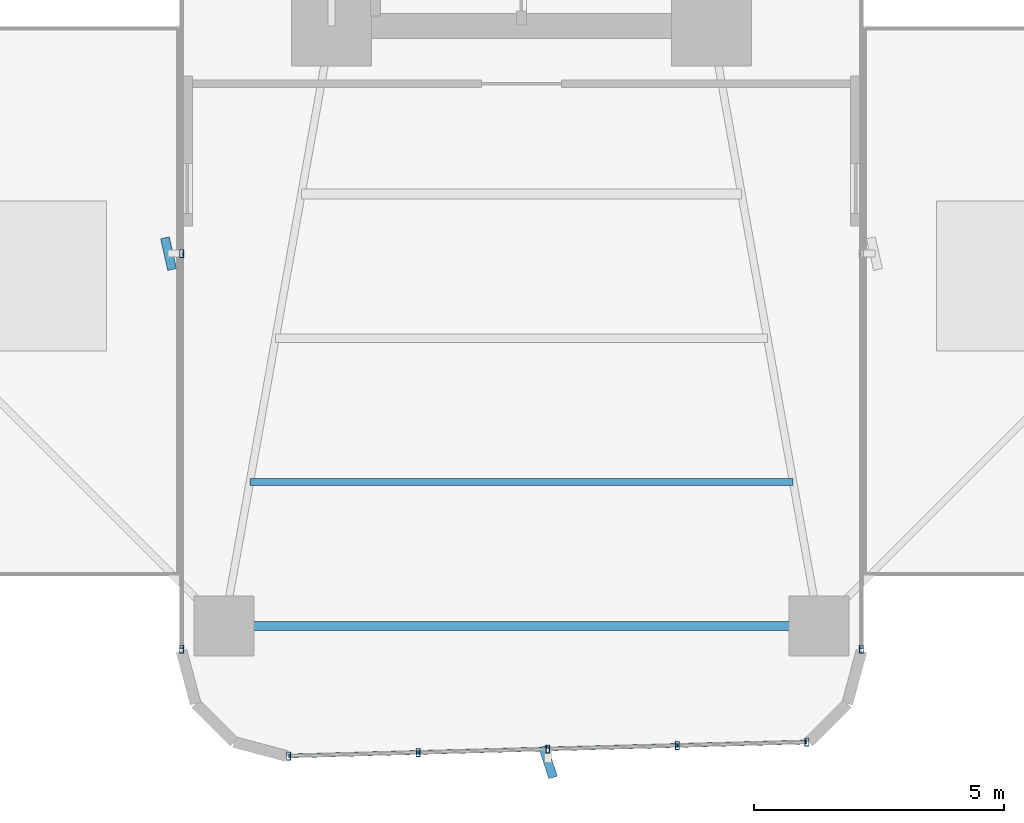
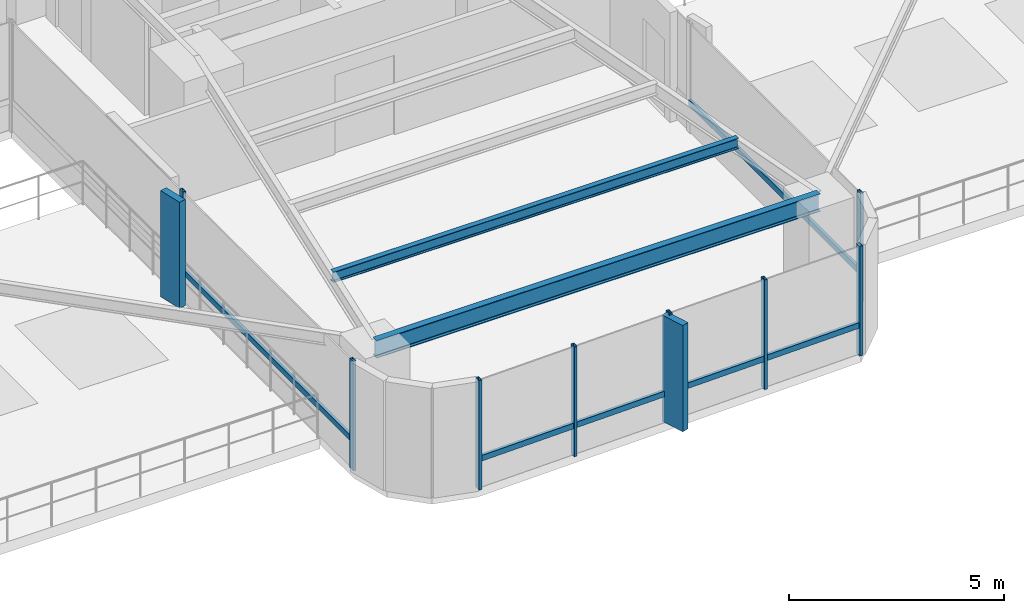
# One storey, part 2 of 27: 16 members, 2 beams, 3 elements without a shape of their own.
"""IFC4 building model written with IfcOpenShell, lengths in metres."""

from ifc_helpers import new_model, si_unit, direction, frame, origin, origin_2d, place, context, subcontext, project, spatial, rectangle, hollow_rectangle, i_section, extrude, source, transform, mapped, material, material_profile, profile_set, type_object, element, aggregate, save


model = new_model("IFC4")

# Units and contexts
model_context = context("Model", 3, precision=1e-05, world=origin(), true_north=direction((0.0, 1.0)))
body_context = subcontext(model_context, "Body", "Model", "MODEL_VIEW")
ifc_project = project(units=[si_unit("LENGTHUNIT", "METRE"), si_unit("AREAUNIT", "SQUARE_METRE"), si_unit("VOLUMEUNIT", "CUBIC_METRE"), si_unit("PLANEANGLEUNIT", "RADIAN"), si_unit("MASSUNIT", "GRAM", prefix="KILO")], contexts=[model_context])

# Site, building, storey
site_placement = place(None, origin())
site = spatial("IfcSite", under=ifc_project, at=site_placement, CompositionType="ELEMENT")
building_placement = place(site_placement, origin())
building = spatial("IfcBuilding", under=site, at=building_placement, Name="Sahyath Konkavel Grand Hotel", CompositionType="ELEMENT")
storey_placement = place(building_placement, frame((0.0, 0.0, 23.10009765625)))
storey = spatial("IfcBuildingStorey", under=building, at=storey_placement, Name="L05", CompositionType="ELEMENT", Elevation=23.10009765625)

# Beams
ifc_material_1 = material(Name="Steel E350", Category="steel")
ifc_material_profile_1 = material_profile(ifc_material_1, i_section(OverallWidth=0.179931640625, OverallDepth=0.5, WebThickness=0.01025390625, FlangeThickness=0.01708984375, FilletRadius=0.01708984375, at=origin_2d()), Name="ISMB 500")
ifc_profile_set_1 = profile_set([ifc_material_profile_1], Name="Steel E350")
beam_type_1 = type_object("IfcBeamType", Name="BM-ISMB500", PredefinedType="BEAM", material=ifc_profile_set_1)
shared_shape_1 = source(origin(), body_context, "Body", "SweptSolid", [
    extrude(i_section(OverallWidth=0.179931640625, OverallDepth=0.5, WebThickness=0.01025390625, FlangeThickness=0.01708984375, FilletRadius=0.01708984375, at=origin_2d()), origin(), (0.0, 0.0, 1.0), 11.89990234375),
])
beam_1_placement = place(storey_placement, frame((-5.949951171875, -22.199951171875, 2.85986328125), z_axis=(1.0, 0.0, 0.0), x_axis=(0.0, 1.0, 0.0)))
element("IfcBeam", 1, at=beam_1_placement, inside=storey, type_object=beam_type_1, Name="L05 Wing Tip Edge Beam S", PredefinedType="BEAM", context=body_context, shape_type="MappedRepresentation", body=[
    mapped(shared_shape_1, transform((0.0, 0.0, 0.0), scale=1.0)),
])
ifc_material_profile_2 = material_profile(ifc_material_1, i_section(OverallWidth=0.139892578125, OverallDepth=0.300048828125, WebThickness=0.0078125, FlangeThickness=0.01318359375, FilletRadius=0.013916015625, at=origin_2d()), Name="ISMB 300")
ifc_profile_set_2 = profile_set([ifc_material_profile_2], Name="Steel E350")
beam_type_2 = type_object("IfcBeamType", Name="BM-ISMB300", PredefinedType="BEAM", material=ifc_profile_set_2)
shared_shape_2 = source(origin(), body_context, "Body", "SweptSolid", [
    extrude(i_section(OverallWidth=0.139892578125, OverallDepth=0.300048828125, WebThickness=0.0078125, FlangeThickness=0.01318359375, FilletRadius=0.013916015625, at=origin_2d()), origin(), (0.0, 0.0, 1.0), 10.8681640625),
])
beam_2_placement = place(storey_placement, frame((-5.43408203125, -19.320068359375, 2.9599609375), z_axis=(1.0, 0.0, 0.0), x_axis=(0.0, 1.0, 0.0)))
element("IfcBeam", 2, at=beam_2_placement, inside=storey, type_object=beam_type_2, Name="L05 Secondary Floor Beam S-3", PredefinedType="BEAM", context=body_context, shape_type="MappedRepresentation", body=[
    mapped(shared_shape_2, transform((0.0, 0.0, 0.0), scale=1.0)),
])

# Curtain wall, members
ifc_material_2 = material(Name="Anodised Bronze Aluminium & Low-E Glazing", Category="aluminium")
curtain_wall_type = type_object("IfcCurtainWallType", Name="CW-ZONE1", PredefinedType="NOTDEFINED", material=ifc_material_2)
curtain_wall_1_placement = place(storey_placement, origin())
curtain_wall_1 = element("IfcCurtainWall", 3, at=curtain_wall_1_placement, inside=storey, type_object=curtain_wall_type, Name="L05 Unitised Curtain Wall F24", PredefinedType="NOTDEFINED")
ifc_material_3 = material(Name="Anodised Bronze Aluminium", Category="aluminium")
ifc_material_profile_3 = material_profile(ifc_material_3, hollow_rectangle(XDim=0.080078125, YDim=0.159912109375, WallThickness=0.006103515625, at=origin_2d()), Name="RHS 160x80x6")
ifc_profile_set_3 = profile_set([ifc_material_profile_3], Name="Anodised Bronze Aluminium")
member_type_1 = type_object("IfcMemberType", Name="CW-MUL-160", PredefinedType="MULLION", material=ifc_profile_set_3)
shared_shape_3 = source(origin(), body_context, "Body", "SweptSolid", [
    extrude(hollow_rectangle(XDim=0.080078125, YDim=0.159912109375, WallThickness=0.006103515625, at=origin_2d()), origin(), (0.0, 0.0, 1.0), 3.10986328125),
])
member_1_placement = place(storey_placement, frame((-6.800048828125, -14.75, 0.0), z_axis=(0.0, 0.0, 1.0), x_axis=(1.0, 0.0, 0.0)))
member_1 = element("IfcMember", 4, at=member_1_placement, type_object=member_type_1, Name="L05 Curtain Wall Mullion F24-1", PredefinedType="MULLION", context=body_context, shape_type="MappedRepresentation", body=[
    mapped(shared_shape_3, transform((0.0, 0.0, 0.0), scale=1.0)),
])
member_2_placement = place(storey_placement, frame((-6.800048828125, -22.659912109375, 0.0), z_axis=(0.0, 0.0, 1.0), x_axis=(1.0, 0.0, 0.0)))
member_2 = element("IfcMember", 5, at=member_2_placement, type_object=member_type_1, Name="L05 Curtain Wall Mullion F24-2", PredefinedType="MULLION", context=body_context, shape_type="MappedRepresentation", body=[
    mapped(shared_shape_3, transform((0.0, 0.0, 0.0), scale=1.0)),
])

curtain_wall_2_placement = place(storey_placement, origin())
curtain_wall_2 = element("IfcCurtainWall", 6, at=curtain_wall_2_placement, inside=storey, type_object=curtain_wall_type, Name="L05 Unitised Curtain Wall F28", PredefinedType="NOTDEFINED")
member_3_placement = place(storey_placement, frame((-4.659912109375, -24.798828125, 0.0), z_axis=(0.0, 0.0, 1.0), x_axis=(1.0, 0.0, 0.0)))
member_3 = element("IfcMember", 7, at=member_3_placement, type_object=member_type_1, Name="L05 Curtain Wall Mullion F28-0", PredefinedType="MULLION", context=body_context, shape_type="MappedRepresentation", body=[
    mapped(shared_shape_3, transform((0.0, 0.0, 0.0), scale=1.0)),
])
member_4_placement = place(storey_placement, frame((-2.0673828125, -24.72900390625, 0.0), z_axis=(0.0, 0.0, 1.0), x_axis=(1.0, 0.0, 0.0)))
member_4 = element("IfcMember", 8, at=member_4_placement, type_object=member_type_1, Name="L05 Curtain Wall Mullion F28-1", PredefinedType="MULLION", context=body_context, shape_type="MappedRepresentation", body=[
    mapped(shared_shape_3, transform((0.0, 0.0, 0.0), scale=1.0)),
])
member_5_placement = place(storey_placement, frame((0.52490234375, -24.6591796875, 0.0), z_axis=(0.0, 0.0, 1.0), x_axis=(1.0, 0.0, 0.0)))
member_5 = element("IfcMember", 9, at=member_5_placement, type_object=member_type_1, Name="L05 Curtain Wall Mullion F28-2", PredefinedType="MULLION", context=body_context, shape_type="MappedRepresentation", body=[
    mapped(shared_shape_3, transform((0.0, 0.0, 0.0), scale=1.0)),
])
member_6_placement = place(storey_placement, frame((3.117431640625, -24.589599609375, 0.0), z_axis=(0.0, 0.0, 1.0), x_axis=(1.0, 0.0, 0.0)))
member_6 = element("IfcMember", 10, at=member_6_placement, type_object=member_type_1, Name="L05 Curtain Wall Mullion F28-3", PredefinedType="MULLION", context=body_context, shape_type="MappedRepresentation", body=[
    mapped(shared_shape_3, transform((0.0, 0.0, 0.0), scale=1.0)),
])
member_7_placement = place(storey_placement, frame((5.7099609375, -24.519775390625, 0.0), z_axis=(0.0, 0.0, 1.0), x_axis=(1.0, 0.0, 0.0)))
member_7 = element("IfcMember", 11, at=member_7_placement, type_object=member_type_1, Name="L05 Curtain Wall Mullion F28-4", PredefinedType="MULLION", context=body_context, shape_type="MappedRepresentation", body=[
    mapped(shared_shape_3, transform((0.0, 0.0, 0.0), scale=1.0)),
])

# Curtain wall, member
curtain_wall_3_placement = place(storey_placement, origin())
curtain_wall_3 = element("IfcCurtainWall", 12, at=curtain_wall_3_placement, inside=storey, type_object=curtain_wall_type, Name="L05 Unitised Curtain Wall F31", PredefinedType="NOTDEFINED")
member_8_placement = place(storey_placement, frame((6.800048828125, -22.659912109375, 0.0), z_axis=(0.0, 0.0, 1.0), x_axis=(1.0, 0.0, 0.0)))
member_8 = element("IfcMember", 13, at=member_8_placement, type_object=member_type_1, Name="L05 Curtain Wall Mullion F31-0", PredefinedType="MULLION", context=body_context, shape_type="MappedRepresentation", body=[
    mapped(shared_shape_3, transform((0.0, 0.0, 0.0), scale=1.0)),
])

# Member
ifc_material_4 = material(Name="Warm Buff Sandstone Cladding on Concrete C50/60", Category="masonry")
ifc_material_profile_4 = material_profile(ifc_material_4, rectangle(XDim=0.179931640625, YDim=0.64990234375, at=origin_2d()), Name="FIN 180x650")
ifc_profile_set_4 = profile_set([ifc_material_profile_4], Name="Warm Buff Sandstone Cladding on Concrete C50/60")
member_type_2 = type_object("IfcMemberType", Name="FIN-SANDSTONE-650", PredefinedType="MULLION", material=ifc_profile_set_4)
shared_shape_4 = source(origin(), body_context, "Body", "SweptSolid", [
    extrude(rectangle(XDim=0.179931640625, YDim=0.64990234375, at=origin_2d()), origin(), (0.0, 0.0, 1.0), 3.010009765625),
])
member_9_placement = place(storey_placement, frame((-7.06005859375, -14.75, 0.0498046875), z_axis=(0.0, 0.0, 1.0), x_axis=(0.975419299024, 0.220356962886, 0.0)))
member_9 = element("IfcMember", 14, at=member_9_placement, type_object=member_type_2, Name="L05 Sandstone Vertical Solar Fin FIN F24-1", PredefinedType="MULLION", context=body_context, shape_type="MappedRepresentation", body=[
    mapped(shared_shape_4, transform((0.0, 0.0, 0.0), scale=1.0)),
])

member_10_placement = place(storey_placement, frame((0.531982421875, -24.919189453125, 0.0498046875), z_axis=(0.0, 0.0, 1.0), x_axis=(0.951056516295, 0.309016994375, 0.0)))
member_10 = element("IfcMember", 15, at=member_10_placement, type_object=member_type_2, Name="L05 Sandstone Vertical Solar Fin FIN F28-2", PredefinedType="MULLION", context=body_context, shape_type="MappedRepresentation", body=[
    mapped(shared_shape_4, transform((0.0, 0.0, 0.0), scale=1.0)),
])

ifc_material_profile_5 = material_profile(ifc_material_3, hollow_rectangle(XDim=0.080078125, YDim=0.159912109375, WallThickness=0.006103515625, at=origin_2d()), Name="RHS 160x80x6")
ifc_profile_set_5 = profile_set([ifc_material_profile_5], Name="Anodised Bronze Aluminium")
member_type_3 = type_object("IfcMemberType", Name="CW-TRN-160", PredefinedType="USERDEFINED", material=ifc_profile_set_5)
shared_shape_5 = source(origin(), body_context, "Body", "SweptSolid", [
    extrude(hollow_rectangle(XDim=0.080078125, YDim=0.159912109375, WallThickness=0.006103515625, at=origin_2d()), origin(), (0.0, 0.0, 1.0), 7.909912109375),
])
member_11_placement = place(storey_placement, frame((-6.800048828125, -14.75, 0.849853515625), z_axis=(0.0, -1.0, 0.0), x_axis=(1.0, 0.0, 0.0)))
member_11 = element("IfcMember", 16, at=member_11_placement, type_object=member_type_3, Name="L05 Curtain Wall Transom F24-1-spandrel", ObjectType="TRANSOM", PredefinedType="USERDEFINED", context=body_context, shape_type="MappedRepresentation", body=[
    mapped(shared_shape_5, transform((0.0, 0.0, 0.0), scale=1.0)),
])

aggregate(curtain_wall_1, [member_1, member_9, member_2, member_11])

member_12_placement = place(storey_placement, frame((6.800048828125, -22.659912109375, 0.849853515625), z_axis=(0.0, 1.0, 0.0), x_axis=(-1.0, 0.0, 0.0)))
member_12 = element("IfcMember", 17, at=member_12_placement, type_object=member_type_3, Name="L05 Curtain Wall Transom F31-0-spandrel", ObjectType="TRANSOM", PredefinedType="USERDEFINED", context=body_context, shape_type="MappedRepresentation", body=[
    mapped(shared_shape_5, transform((0.0, 0.0, 0.0), scale=1.0)),
])

aggregate(curtain_wall_3, [member_8, member_12])

shared_shape_6 = source(origin(), body_context, "Body", "SweptSolid", [
    extrude(hollow_rectangle(XDim=0.080078125, YDim=0.159912109375, WallThickness=0.006103515625, at=origin_2d()), origin(), (0.0, 0.0, 1.0), 2.593505859375),
])
member_13_placement = place(storey_placement, frame((-4.659912109375, -24.798828125, 0.849853515625), z_axis=(0.999637507825, 0.026923093252, 0.0), x_axis=(-0.026923093252, 0.999637507825, 0.0)))
member_13 = element("IfcMember", 18, at=member_13_placement, type_object=member_type_3, Name="L05 Curtain Wall Transom F28-0-spandrel", ObjectType="TRANSOM", PredefinedType="USERDEFINED", context=body_context, shape_type="MappedRepresentation", body=[
    mapped(shared_shape_6, transform((0.0, 0.0, 0.0), scale=1.0)),
])

member_14_placement = place(storey_placement, frame((0.52490234375, -24.6591796875, 0.849853515625), z_axis=(0.999640036937, 0.02682902444, 0.0), x_axis=(-0.02682902444, 0.999640036937, 0.0)))
member_14 = element("IfcMember", 19, at=member_14_placement, type_object=member_type_3, Name="L05 Curtain Wall Transom F28-2-spandrel", ObjectType="TRANSOM", PredefinedType="USERDEFINED", context=body_context, shape_type="MappedRepresentation", body=[
    mapped(shared_shape_6, transform((0.0, 0.0, 0.0), scale=1.0)),
])

member_15_placement = place(storey_placement, frame((3.117431640625, -24.589599609375, 0.849853515625), z_axis=(0.999637507825, 0.026923093252, 0.0), x_axis=(-0.026923093252, 0.999637507825, 0.0)))
member_15 = element("IfcMember", 20, at=member_15_placement, type_object=member_type_3, Name="L05 Curtain Wall Transom F28-3-spandrel", ObjectType="TRANSOM", PredefinedType="USERDEFINED", context=body_context, shape_type="MappedRepresentation", body=[
    mapped(shared_shape_6, transform((0.0, 0.0, 0.0), scale=1.0)),
])

shared_shape_7 = source(origin(), body_context, "Body", "SweptSolid", [
    extrude(hollow_rectangle(XDim=0.080078125, YDim=0.159912109375, WallThickness=0.006103515625, at=origin_2d()), origin(), (0.0, 0.0, 1.0), 2.59326171875),
])
member_16_placement = place(storey_placement, frame((-2.0673828125, -24.72900390625, 0.849853515625), z_axis=(0.99963743958, 0.026925627022, 0.0), x_axis=(-0.026925627022, 0.99963743958, 0.0)))
member_16 = element("IfcMember", 21, at=member_16_placement, type_object=member_type_3, Name="L05 Curtain Wall Transom F28-1-spandrel", ObjectType="TRANSOM", PredefinedType="USERDEFINED", context=body_context, shape_type="MappedRepresentation", body=[
    mapped(shared_shape_7, transform((0.0, 0.0, 0.0), scale=1.0)),
])

aggregate(curtain_wall_2, [member_3, member_4, member_5, member_10, member_6, member_7, member_13, member_16, member_14, member_15])

save(model, "model.ifc")
